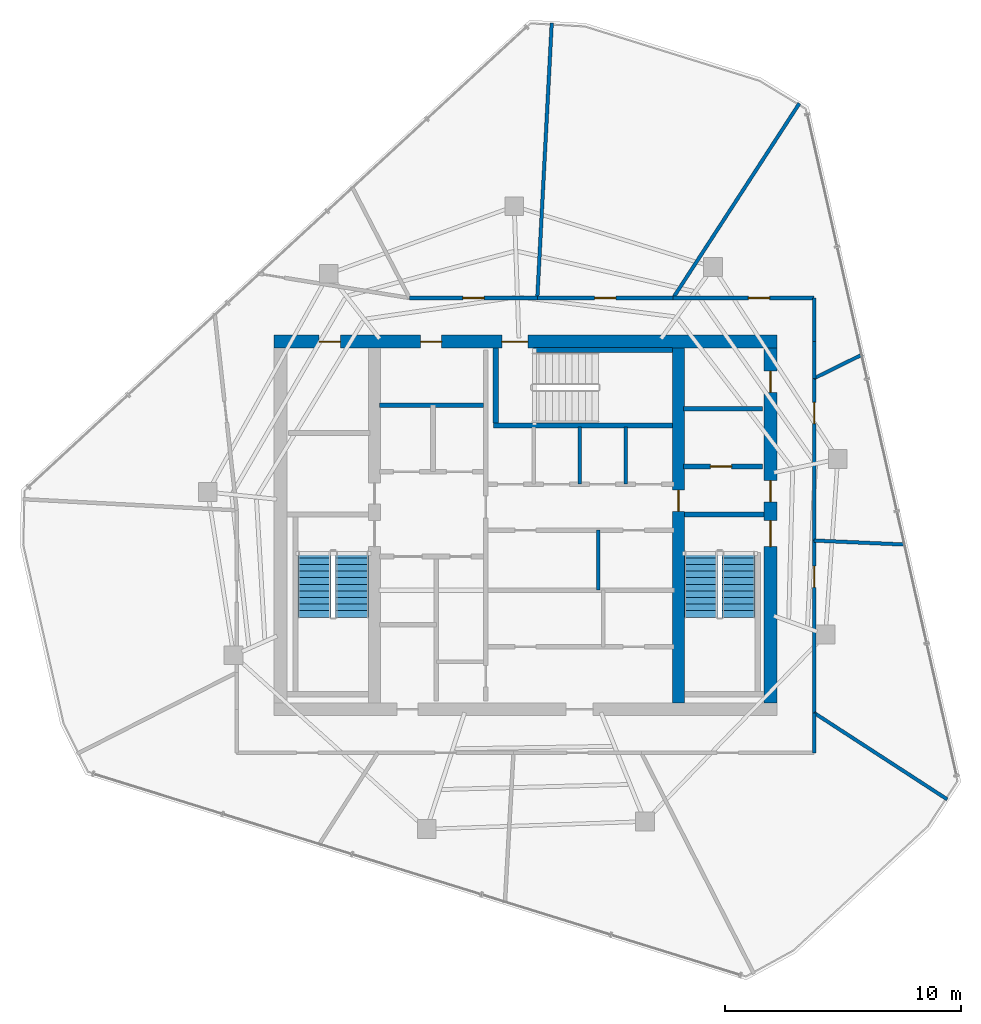
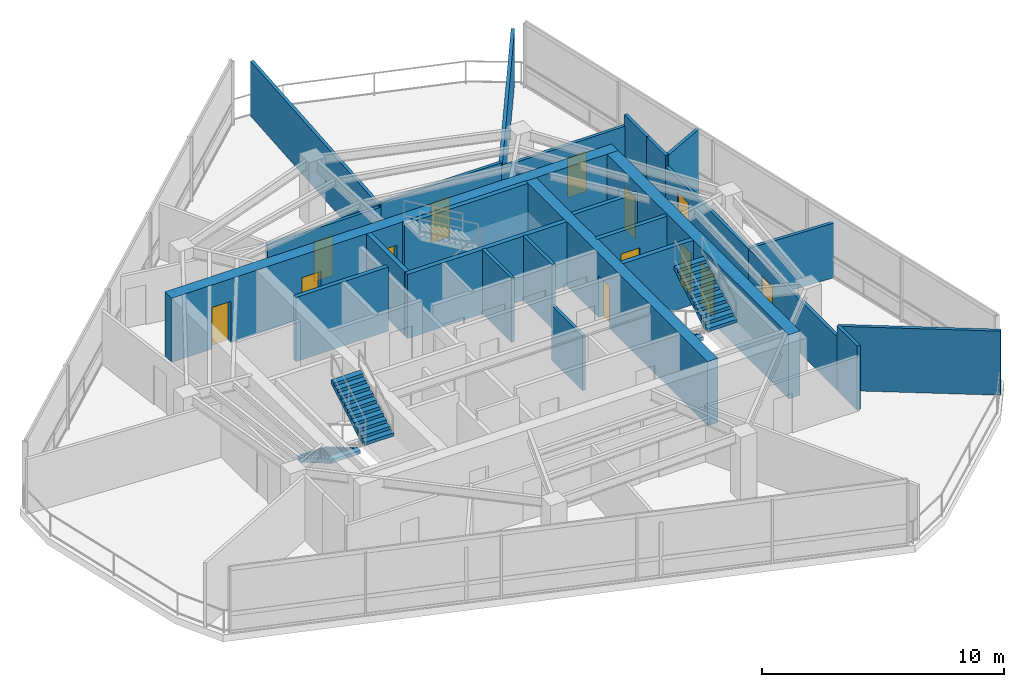
# One storey, part 15 of 19: 26 walls, 13 doors, 4 stair flights, 13 openings, 2 elements without a shape of their own.
"""IFC4 building model written with IfcOpenShell, lengths in metres."""

from ifc_helpers import new_model, si_unit, direction, frame, frame_2d, origin, place, context, subcontext, project, spatial, polyline, rectangle, outline, extrude, material, layer, layer_set, type_object, element, fill, aggregate, save


model = new_model("IFC4")

# Units and contexts
model_context = context("Model", 3, precision=1e-05, world=origin(), true_north=direction((0.0, 1.0)))
body_context = subcontext(model_context, "Body", "Model", "MODEL_VIEW")
ifc_project = project(units=[si_unit("LENGTHUNIT", "METRE"), si_unit("AREAUNIT", "SQUARE_METRE"), si_unit("VOLUMEUNIT", "CUBIC_METRE"), si_unit("PLANEANGLEUNIT", "RADIAN"), si_unit("MASSUNIT", "GRAM", prefix="KILO")], contexts=[model_context])

# Site, building, storey
site_placement = place(None, origin())
site = spatial("IfcSite", under=ifc_project, at=site_placement, CompositionType="ELEMENT")
building_placement = place(site_placement, origin())
building = spatial("IfcBuilding", under=site, at=building_placement, Name="Qarnah Convention Tower", CompositionType="ELEMENT")
storey_placement = place(building_placement, frame((0.0, 0.0, 228.300048828125)))
storey = spatial("IfcBuildingStorey", under=building, at=storey_placement, Name="L61", CompositionType="ELEMENT", Elevation=228.300048828125)

# Wall, openings, doors
ifc_material_1 = material(Name="Concrete C60/75", Category="concrete")
ifc_layer_1 = layer(ifc_material_1, 0.550048828125)
ifc_layer_set_1 = layer_set([ifc_layer_1], Name="Concrete C60/75")
wall_type_1 = type_object("IfcWallType", Name="WL-CORE-550", PredefinedType="SHEAR", material=ifc_layer_set_1)
wall_1_placement = place(storey_placement, frame((26.52490234375, 34.199951171875, 0.0), z_axis=(0.0, 0.0, 1.0), x_axis=(1.0, 0.0, 0.0)))
wall_1 = element("IfcWall", 1, at=wall_1_placement, inside=storey, type_object=wall_type_1, Name="L61 core north shear wall", PredefinedType="SHEAR", context=body_context, shape_type="SweptSolid", body=[
    extrude(rectangle(XDim=21.35009765625, YDim=0.550048828125, at=frame_2d((10.675048828125, 0.0))), origin(), (0.0, 0.0, 1.0), 3.239990234375),
])
opening_1_placement = place(wall_1_placement, frame((9.675048828125, 0.0, 0.0)))
opening_1 = element("IfcOpeningElement", 2, at=opening_1_placement, cuts=wall_1, Name="Opening D-6103", PredefinedType="OPENING", context=body_context, shape_type="SweptSolid", body=[
    extrude(rectangle(XDim=1.10009765625, YDim=2.14990234375, at=frame_2d((0.550048828125, 1.074951171875))), frame((0.0, 0.284912109375, 0.0), z_axis=(0.0, -1.0, 0.0), x_axis=(1.0, 0.0, 0.0)), (0.0, 0.0, 1.0), 0.570068359375),
])
opening_2_placement = place(wall_1_placement, frame((1.925048828125, 0.0, 0.0)))
opening_2 = element("IfcOpeningElement", 3, at=opening_2_placement, cuts=wall_1, Name="Opening D-6109", PredefinedType="OPENING", context=body_context, shape_type="SweptSolid", body=[
    extrude(rectangle(XDim=0.89990234375, YDim=2.10009765625, at=frame_2d((0.449951171875, 1.050048828125))), frame((0.0, 0.284912109375, 0.0), z_axis=(0.0, -1.0, 0.0), x_axis=(1.0, 0.0, 0.0)), (0.0, 0.0, 1.0), 0.570068359375),
])
opening_3_placement = place(wall_1_placement, frame((6.22509765625, 0.0, 0.0)))
opening_3 = element("IfcOpeningElement", 4, at=opening_3_placement, cuts=wall_1, Name="Opening D-6110", PredefinedType="OPENING", context=body_context, shape_type="SweptSolid", body=[
    extrude(rectangle(XDim=0.89990234375, YDim=2.10009765625, at=frame_2d((0.449951171875, 1.050048828125))), frame((0.0, 0.284912109375, 0.0), z_axis=(0.0, -1.0, 0.0), x_axis=(1.0, 0.0, 0.0)), (0.0, 0.0, 1.0), 0.570068359375),
])
ifc_material_2 = material(Name="Structural steel S355JR", Category="steel")
door_type_1 = type_object("IfcDoorType", Name="DT-RISER-900", OperationType="NOTDEFINED", PredefinedType="DOOR", material=ifc_material_2)
door_1_placement = place(opening_2_placement, origin())
door_1 = element("IfcDoor", 5, at=door_1_placement, inside=storey, type_object=door_type_1, Name="Door D-6109", OperationType="SINGLE_SWING_RIGHT", OverallHeight=2.10009765625, OverallWidth=0.89990234375, PredefinedType="DOOR", context=body_context, shape_type="SweptSolid", body=[
    extrude(rectangle(XDim=0.89990234375, YDim=2.10009765625, at=frame_2d((0.449951171875, 1.050048828125))), frame((0.0, 0.02490234375, 0.0), z_axis=(0.0, -1.0, 0.0), x_axis=(1.0, 0.0, 0.0)), (0.0, 0.0, 1.0), 0.050048828125),
])
fill(opening_2, door_1)
door_2_placement = place(opening_3_placement, origin())
door_2 = element("IfcDoor", 6, at=door_2_placement, inside=storey, type_object=door_type_1, Name="Door D-6110", OperationType="SINGLE_SWING_LEFT", OverallHeight=2.10009765625, OverallWidth=0.89990234375, PredefinedType="DOOR", context=body_context, shape_type="SweptSolid", body=[
    extrude(rectangle(XDim=0.89990234375, YDim=2.10009765625, at=frame_2d((0.449951171875, 1.050048828125))), frame((0.0, 0.02490234375, 0.0), z_axis=(0.0, -1.0, 0.0), x_axis=(1.0, 0.0, 0.0)), (0.0, 0.0, 1.0), 0.050048828125),
])
fill(opening_3, door_2)
door_type_2 = type_object("IfcDoorType", Name="DT-STAIR-1100", OperationType="NOTDEFINED", PredefinedType="DOOR", material=ifc_material_2)
door_3_placement = place(opening_1_placement, origin())
door_3 = element("IfcDoor", 7, at=door_3_placement, inside=storey, type_object=door_type_2, Name="Door D-6103", OperationType="SINGLE_SWING_RIGHT", OverallHeight=2.14990234375, OverallWidth=1.10009765625, PredefinedType="DOOR", context=body_context, shape_type="SweptSolid", body=[
    extrude(rectangle(XDim=1.10009765625, YDim=2.14990234375, at=frame_2d((0.550048828125, 1.074951171875))), frame((0.0, 0.02490234375, 0.0), z_axis=(0.0, -1.0, 0.0), x_axis=(1.0, 0.0, 0.0)), (0.0, 0.0, 1.0), 0.050048828125),
])
fill(opening_1, door_3)

wall_2_placement = place(storey_placement, frame((47.60009765625, 18.875, 0.0), z_axis=(0.0, 0.0, 1.0), x_axis=(0.0, 1.0, 0.0)))
wall_2 = element("IfcWall", 8, at=wall_2_placement, inside=storey, type_object=wall_type_1, Name="L61 core east shear wall", PredefinedType="SHEAR", context=body_context, shape_type="SweptSolid", body=[
    extrude(rectangle(XDim=15.050048828125, YDim=0.550048828125, at=frame_2d((7.52490234375, 0.0))), origin(), (0.0, 0.0, 1.0), 3.239990234375),
])
opening_4_placement = place(wall_2_placement, frame((6.625, 0.0, 0.0)))
opening_4 = element("IfcOpeningElement", 9, at=opening_4_placement, cuts=wall_2, Name="Opening D-6102", PredefinedType="OPENING", context=body_context, shape_type="SweptSolid", body=[
    extrude(rectangle(XDim=1.10009765625, YDim=2.14990234375, at=frame_2d((0.550048828125, 1.074951171875))), frame((0.0, 0.284912109375, 0.0), z_axis=(0.0, -1.0, 0.0), x_axis=(1.0, 0.0, 0.0)), (0.0, 0.0, 1.0), 0.570068359375),
])
opening_5_placement = place(wall_2_placement, frame((8.52490234375, 0.0, 0.0)))
opening_5 = element("IfcOpeningElement", 10, at=opening_5_placement, cuts=wall_2, Name="Opening D-6106", PredefinedType="OPENING", context=body_context, shape_type="SweptSolid", body=[
    extrude(rectangle(XDim=0.89990234375, YDim=2.10009765625, at=frame_2d((0.449951171875, 1.050048828125))), frame((0.0, 0.284912109375, 0.0), z_axis=(0.0, -1.0, 0.0), x_axis=(1.0, 0.0, 0.0)), (0.0, 0.0, 1.0), 0.570068359375),
])
opening_6_placement = place(wall_2_placement, frame((13.175048828125, 0.0, 0.0)))
opening_6 = element("IfcOpeningElement", 11, at=opening_6_placement, cuts=wall_2, Name="Opening D-6112", PredefinedType="OPENING", context=body_context, shape_type="SweptSolid", body=[
    extrude(rectangle(XDim=0.89990234375, YDim=2.10009765625, at=frame_2d((0.449951171875, 1.050048828125))), frame((0.0, 0.284912109375, 0.0), z_axis=(0.0, -1.0, 0.0), x_axis=(1.0, 0.0, 0.0)), (0.0, 0.0, 1.0), 0.570068359375),
])
door_4_placement = place(opening_5_placement, origin())
door_4 = element("IfcDoor", 12, at=door_4_placement, inside=storey, type_object=door_type_1, Name="Door D-6106", OperationType="SINGLE_SWING_LEFT", OverallHeight=2.10009765625, OverallWidth=0.89990234375, PredefinedType="DOOR", context=body_context, shape_type="SweptSolid", body=[
    extrude(rectangle(XDim=0.89990234375, YDim=2.10009765625, at=frame_2d((0.449951171875, 1.050048828125))), frame((0.0, 0.02490234375, 0.0), z_axis=(0.0, -1.0, 0.0), x_axis=(1.0, 0.0, 0.0)), (0.0, 0.0, 1.0), 0.050048828125),
])
fill(opening_5, door_4)
door_5_placement = place(opening_6_placement, origin())
door_5 = element("IfcDoor", 13, at=door_5_placement, inside=storey, type_object=door_type_1, Name="Door D-6112", OperationType="SINGLE_SWING_LEFT", OverallHeight=2.10009765625, OverallWidth=0.89990234375, PredefinedType="DOOR", context=body_context, shape_type="SweptSolid", body=[
    extrude(rectangle(XDim=0.89990234375, YDim=2.10009765625, at=frame_2d((0.449951171875, 1.050048828125))), frame((0.0, 0.02490234375, 0.0), z_axis=(0.0, -1.0, 0.0), x_axis=(1.0, 0.0, 0.0)), (0.0, 0.0, 1.0), 0.050048828125),
])
fill(opening_6, door_5)
door_6_placement = place(opening_4_placement, origin())
door_6 = element("IfcDoor", 14, at=door_6_placement, inside=storey, type_object=door_type_2, Name="Door D-6102", OperationType="SINGLE_SWING_LEFT", OverallHeight=2.14990234375, OverallWidth=1.10009765625, PredefinedType="DOOR", context=body_context, shape_type="SweptSolid", body=[
    extrude(rectangle(XDim=1.10009765625, YDim=2.14990234375, at=frame_2d((0.550048828125, 1.074951171875))), frame((0.0, 0.02490234375, 0.0), z_axis=(0.0, -1.0, 0.0), x_axis=(1.0, 0.0, 0.0)), (0.0, 0.0, 1.0), 0.050048828125),
])
fill(opening_4, door_6)

# Wall, opening, door
ifc_layer_2 = layer(ifc_material_1, 0.5)
ifc_layer_set_2 = layer_set([ifc_layer_2], Name="Concrete C60/75")
wall_type_2 = type_object("IfcWallType", Name="WL-CORE-INT-400", PredefinedType="SHEAR", material=ifc_layer_set_2)
wall_3_placement = place(storey_placement, frame((43.699951171875, 18.875, 0.0), z_axis=(0.0, 0.0, 1.0), x_axis=(0.0, 1.0, 0.0)))
wall_3 = element("IfcWall", 15, at=wall_3_placement, inside=storey, type_object=wall_type_2, Name="L61 core east spine shear wall", PredefinedType="SHEAR", context=body_context, shape_type="SweptSolid", body=[
    extrude(rectangle(XDim=15.050048828125, YDim=0.5, at=frame_2d((7.52490234375, 0.0))), origin(), (0.0, 0.0, 1.0), 3.239990234375),
])
opening_7_placement = place(wall_3_placement, frame((8.125, 0.0, 0.0)))
opening_7 = element("IfcOpeningElement", 16, at=opening_7_placement, cuts=wall_3, Name="Opening D-6105", PredefinedType="OPENING", context=body_context, shape_type="SweptSolid", body=[
    extrude(rectangle(XDim=0.89990234375, YDim=2.10009765625, at=frame_2d((0.449951171875, 1.050048828125))), frame((0.0, 0.260009765625, 0.0), z_axis=(0.0, -1.0, 0.0), x_axis=(1.0, 0.0, 0.0)), (0.0, 0.0, 1.0), 0.52001953125),
])
door_7_placement = place(opening_7_placement, origin())
door_7 = element("IfcDoor", 17, at=door_7_placement, inside=storey, type_object=door_type_1, Name="Door D-6105", OperationType="SINGLE_SWING_RIGHT", OverallHeight=2.10009765625, OverallWidth=0.89990234375, PredefinedType="DOOR", context=body_context, shape_type="SweptSolid", body=[
    extrude(rectangle(XDim=0.89990234375, YDim=2.10009765625, at=frame_2d((0.449951171875, 1.050048828125))), frame((0.0, 0.02490234375, 0.0), z_axis=(0.0, -1.0, 0.0), x_axis=(1.0, 0.0, 0.0)), (0.0, 0.0, 1.0), 0.050048828125),
])
fill(opening_7, door_7)

ifc_material_3 = material(Name="Concrete C45/55", Category="concrete")
ifc_layer_3 = layer(ifc_material_3, 0.199951171875)
ifc_layer_set_3 = layer_set([ifc_layer_3], Name="Concrete C45/55")
wall_type_3 = type_object("IfcWallType", Name="WL-CORE-PART-200", PredefinedType="SOLIDWALL", material=ifc_layer_set_3)
wall_4_placement = place(storey_placement, frame((43.89990234375, 28.89990234375, 0.0), z_axis=(0.0, 0.0, 1.0), x_axis=(1.0, 0.0, 0.0)))
wall_4 = element("IfcWall", 18, at=wall_4_placement, inside=storey, type_object=wall_type_3, Name="L61 interior wall IW-L61-EVSTN", PredefinedType="SOLIDWALL", context=body_context, shape_type="SweptSolid", body=[
    extrude(rectangle(XDim=3.35009765625, YDim=0.199951171875, at=frame_2d((1.675048828125, 0.0))), origin(), (0.0, 0.0, 1.0), 3.239990234375),
])
opening_8_placement = place(wall_4_placement, frame((1.14990234375, 0.0, 0.0)))
opening_8 = element("IfcOpeningElement", 19, at=opening_8_placement, cuts=wall_4, Name="Opening D-6111", PredefinedType="OPENING", context=body_context, shape_type="SweptSolid", body=[
    extrude(rectangle(XDim=0.89990234375, YDim=2.10009765625, at=frame_2d((0.449951171875, 1.050048828125))), frame((0.0, 0.10986328125, 0.0), z_axis=(0.0, -1.0, 0.0), x_axis=(1.0, 0.0, 0.0)), (0.0, 0.0, 1.0), 0.219970703125),
])
door_8_placement = place(opening_8_placement, origin())
door_8 = element("IfcDoor", 20, at=door_8_placement, inside=storey, type_object=door_type_1, Name="Door D-6111", OperationType="SINGLE_SWING_RIGHT", OverallHeight=2.10009765625, OverallWidth=0.89990234375, PredefinedType="DOOR", context=body_context, shape_type="SweptSolid", body=[
    extrude(rectangle(XDim=0.89990234375, YDim=2.10009765625, at=frame_2d((0.449951171875, 1.050048828125))), frame((0.0, 0.02490234375, 0.0), z_axis=(0.0, -1.0, 0.0), x_axis=(1.0, 0.0, 0.0)), (0.0, 0.0, 1.0), 0.050048828125),
])
fill(opening_8, door_8)

# Walls
wall_5_placement = place(storey_placement, frame((43.89990234375, 31.35009765625, 0.0), z_axis=(0.0, 0.0, 1.0), x_axis=(1.0, 0.0, 0.0)))
element("IfcWall", 21, at=wall_5_placement, inside=storey, type_object=wall_type_3, Name="L61 interior wall IW-L61-WTRN", PredefinedType="SOLIDWALL", context=body_context, shape_type="SweptSolid", body=[
    extrude(rectangle(XDim=3.35009765625, YDim=0.199951171875, at=frame_2d((1.675048828125, 0.0))), origin(), (0.0, 0.0, 1.0), 2.912841796875),
])
wall_6_placement = place(storey_placement, frame((31.0, 31.5, 0.0), z_axis=(0.0, 0.0, 1.0), x_axis=(1.0, 0.0, 0.0)))
element("IfcWall", 22, at=wall_6_placement, inside=storey, type_object=wall_type_3, Name="L61 interior wall IW-L61-FFLN", PredefinedType="SOLIDWALL", context=body_context, shape_type="SweptSolid", body=[
    extrude(rectangle(XDim=4.419921875, YDim=0.199951171875, at=frame_2d((2.2099609375, 0.0))), origin(), (0.0, 0.0, 1.0), 3.239990234375),
])
ifc_layer_4 = layer(ifc_material_1, 0.219970703125)
ifc_layer_set_4 = layer_set([ifc_layer_4], Name="Concrete C60/75")
wall_type_4 = type_object("IfcWallType", Name="WL-CORE-STAIR-220", PredefinedType="SHEAR", material=ifc_layer_set_4)
wall_7_placement = place(storey_placement, frame((43.949951171875, 26.860107421875, 0.0), z_axis=(0.0, 0.0, 1.0), x_axis=(1.0, 0.0, 0.0)))
element("IfcWall", 23, at=wall_7_placement, inside=storey, type_object=wall_type_4, Name="L61 stair shaft shear wall SW-L61-ST2N", PredefinedType="SHEAR", context=body_context, shape_type="SweptSolid", body=[
    extrude(rectangle(XDim=3.375, YDim=0.219970703125, at=frame_2d((1.6875, 0.0))), origin(), (0.0, 0.0, 1.0), 3.239990234375),
])
wall_8_placement = place(storey_placement, frame((35.840087890625, 30.639892578125, 0.0), z_axis=(0.0, 0.0, 1.0), x_axis=(1.0, 0.0, 0.0)))
element("IfcWall", 24, at=wall_8_placement, inside=storey, type_object=wall_type_4, Name="L61 stair shaft shear wall SW-L61-ST3S", PredefinedType="SHEAR", context=body_context, shape_type="SweptSolid", body=[
    extrude(rectangle(XDim=7.60986328125, YDim=0.219970703125, at=frame_2d((3.804931640625, 0.0))), origin(), (0.0, 0.0, 1.0), 3.239990234375),
])
wall_9_placement = place(storey_placement, frame((35.93994140625, 30.75, 0.0), z_axis=(0.0, 0.0, 1.0), x_axis=(0.0, 1.0, 0.0)))
element("IfcWall", 25, at=wall_9_placement, inside=storey, type_object=wall_type_4, Name="L61 stair shaft shear wall SW-L61-ST3W", PredefinedType="SHEAR", context=body_context, shape_type="SweptSolid", body=[
    extrude(rectangle(XDim=3.175048828125, YDim=0.219970703125, at=frame_2d((1.58740234375, 0.0))), origin(), (0.0, 0.0, 1.0), 3.239990234375),
])
wall_10_placement = place(storey_placement, frame((37.550048828125, 33.840087890625, 0.0), z_axis=(0.0, 0.0, 1.0), x_axis=(1.0, 0.0, 0.0)))
element("IfcWall", 26, at=wall_10_placement, inside=storey, type_object=wall_type_4, Name="L61 stair shaft shear wall SW-L61-ST3N", PredefinedType="SHEAR", context=body_context, shape_type="SweptSolid", body=[
    extrude(rectangle(XDim=5.89990234375, YDim=0.219970703125, at=frame_2d((2.949951171875, 0.0))), origin(), (0.0, 0.0, 1.0), 3.239990234375),
])
ifc_material_4 = material(Name="Gypsum partition board")
ifc_layer_5 = layer(ifc_material_4, 0.14990234375)
ifc_layer_set_5 = layer_set([ifc_layer_5], Name="Gypsum partition board")
wall_type_5 = type_object("IfcWallType", Name="WL-SUITE-150", PredefinedType="PARTITIONING", material=ifc_layer_set_5)
for number, where, z_axis, x_axis, name in (
    (27, (39.5, 28.14990234375, 0.0), (0.0, 0.0, 1.0), (0.0, 1.0, 0.0), "L61 interior wall IW-L61-PHD2"),
    (28, (41.449951171875, 28.14990234375, 0.0), (0.0, 0.0, 1.0), (0.0, 1.0, 0.0), "L61 interior wall IW-L61-PHD3"),
):
    element("IfcWall", number, at=place(storey_placement, frame(where, z_axis=z_axis, x_axis=x_axis)), inside=storey, type_object=wall_type_5, Name=name, PredefinedType="PARTITIONING", context=body_context, shape_type="SweptSolid", body=[
        extrude(rectangle(XDim=2.43017578125, YDim=0.14990234375, at=frame_2d((1.215087890625, 0.0))), origin(), (0.0, 0.0, 1.0), 3.239990234375),
    ])
wall_11_placement = place(storey_placement, frame((40.300048828125, 23.64990234375, 0.0), z_axis=(0.0, 0.0, 1.0), x_axis=(0.0, 1.0, 0.0)))
element("IfcWall", 29, at=wall_11_placement, inside=storey, type_object=wall_type_5, Name="L61 interior wall IW-L61-PMFD", PredefinedType="PARTITIONING", context=body_context, shape_type="SweptSolid", body=[
    extrude(rectangle(XDim=2.550048828125, YDim=0.14990234375, at=frame_2d((1.27490234375, 0.0))), origin(), (0.0, 0.0, 1.0), 2.760986328125),
])
wall_12_placement = place(storey_placement, frame((38.318115234375, 47.7109375, 0.0), z_axis=(0.0, 0.0, 1.0), x_axis=(-0.052416173525, -0.998625327514, 0.0)))
element("IfcWall", 30, at=wall_12_placement, inside=storey, type_object=wall_type_5, Name="L61 interior wall IW-L61-R-01", PredefinedType="PARTITIONING", context=body_context, shape_type="SweptSolid", body=[
    extrude(rectangle(XDim=11.677001953125, YDim=0.14990234375, at=frame_2d((5.83837890625, 0.0))), origin(), (0.0, 0.0, 1.0), 2.764892578125),
])

# Wall, opening, door
wall_13_placement = place(storey_placement, frame((37.7060546875, 36.050048828125, 0.0), z_axis=(0.0, 0.0, 1.0), x_axis=(1.0, 0.0, 0.0)))
wall_13 = element("IfcWall", 31, at=wall_13_placement, inside=storey, type_object=wall_type_5, Name="L61 interior wall IW-L61-R-02", PredefinedType="PARTITIONING", context=body_context, shape_type="SweptSolid", body=[
    extrude(rectangle(XDim=5.760986328125, YDim=0.14990234375, at=frame_2d((2.88037109375, 0.0))), origin(), (0.0, 0.0, 1.0), 2.912841796875),
])
opening_9_placement = place(wall_13_placement, frame((2.429931640625, 0.0, 0.0)))
opening_9 = element("IfcOpeningElement", 32, at=opening_9_placement, cuts=wall_13, Name="Opening D-6120", PredefinedType="OPENING", context=body_context, shape_type="SweptSolid", body=[
    extrude(rectangle(XDim=0.89990234375, YDim=2.0, at=frame_2d((0.449951171875, 1.0))), frame((0.0, 0.0849609375, 0.0), z_axis=(0.0, -1.0, 0.0), x_axis=(1.0, 0.0, 0.0)), (0.0, 0.0, 1.0), 0.169921875),
])
door_type_3 = type_object("IfcDoorType", Name="DT-PLANT-900", OperationType="NOTDEFINED", PredefinedType="DOOR", material=ifc_material_2)
door_9_placement = place(opening_9_placement, origin())
door_9 = element("IfcDoor", 33, at=door_9_placement, inside=storey, type_object=door_type_3, Name="Door D-6120", OperationType="SINGLE_SWING_LEFT", OverallHeight=2.0, OverallWidth=0.89990234375, PredefinedType="DOOR", context=body_context, shape_type="SweptSolid", body=[
    extrude(rectangle(XDim=0.89990234375, YDim=2.0, at=frame_2d((0.449951171875, 1.0))), frame((0.0, 0.02490234375, 0.0), z_axis=(0.0, -1.0, 0.0), x_axis=(1.0, 0.0, 0.0)), (0.0, 0.0, 1.0), 0.050048828125),
])
fill(opening_9, door_9)

# Wall
wall_14_placement = place(storey_placement, frame((43.467041015625, 36.050048828125, 0.0), z_axis=(0.0, 0.0, 1.0), x_axis=(0.544343030284, 0.838862721416, 0.0)))
element("IfcWall", 34, at=wall_14_placement, inside=storey, type_object=wall_type_5, Name="L61 interior wall IW-L61-R-03", PredefinedType="PARTITIONING", context=body_context, shape_type="SweptSolid", body=[
    extrude(rectangle(XDim=9.8427734375, YDim=0.14990234375, at=frame_2d((4.92138671875, 0.0))), origin(), (0.0, 0.0, 1.0), 2.764892578125),
])

# Wall, opening, door
wall_15_placement = place(storey_placement, frame((32.282958984375, 36.050048828125, 0.0), z_axis=(0.0, 0.0, 1.0), x_axis=(1.0, 0.0, 0.0)))
wall_15 = element("IfcWall", 35, at=wall_15_placement, inside=storey, type_object=wall_type_5, Name="L61 interior wall IW-L61-R-05", PredefinedType="PARTITIONING", context=body_context, shape_type="SweptSolid", body=[
    extrude(rectangle(XDim=5.423095703125, YDim=0.14990234375, at=frame_2d((2.71142578125, 0.0))), origin(), (0.0, 0.0, 1.0), 2.68896484375),
])
opening_10_placement = place(wall_15_placement, frame((2.261962890625, 0.0, 0.0)))
opening_10 = element("IfcOpeningElement", 36, at=opening_10_placement, cuts=wall_15, Name="Opening D-6121", PredefinedType="OPENING", context=body_context, shape_type="SweptSolid", body=[
    extrude(rectangle(XDim=0.89990234375, YDim=2.0, at=frame_2d((0.449951171875, 1.0))), frame((0.0, 0.0849609375, 0.0), z_axis=(0.0, -1.0, 0.0), x_axis=(1.0, 0.0, 0.0)), (0.0, 0.0, 1.0), 0.169921875),
])
door_10_placement = place(opening_10_placement, origin())
door_10 = element("IfcDoor", 37, at=door_10_placement, inside=storey, type_object=door_type_3, Name="Door D-6121", OperationType="SINGLE_SWING_RIGHT", OverallHeight=2.0, OverallWidth=0.89990234375, PredefinedType="DOOR", context=body_context, shape_type="SweptSolid", body=[
    extrude(rectangle(XDim=0.89990234375, YDim=2.0, at=frame_2d((0.449951171875, 1.0))), frame((0.0, 0.02490234375, 0.0), z_axis=(0.0, -1.0, 0.0), x_axis=(1.0, 0.0, 0.0)), (0.0, 0.0, 1.0), 0.050048828125),
])
fill(opening_10, door_10)

# Walls
wall_16_placement = place(storey_placement, frame((55.096923828125, 14.777099609375, 0.0), z_axis=(0.0, 0.0, 1.0), x_axis=(-0.838617529297, 0.544720698667, 0.0)))
element("IfcWall", 38, at=wall_16_placement, inside=storey, type_object=wall_type_5, Name="L61 interior wall IW-L61-R-19", PredefinedType="PARTITIONING", context=body_context, shape_type="SweptSolid", body=[
    extrude(rectangle(XDim=6.733642578125, YDim=0.14990234375, at=frame_2d((3.36669921875, 0.0))), origin(), (0.0, 0.0, 1.0), 3.239990234375),
])
wall_17_placement = place(storey_placement, frame((49.449951171875, 18.445068359375, 0.0), z_axis=(0.0, 0.0, 1.0), x_axis=(0.0, -1.0, 0.0)))
element("IfcWall", 39, at=wall_17_placement, inside=storey, type_object=wall_type_5, Name="L61 interior wall IW-L61-R-20", PredefinedType="PARTITIONING", context=body_context, shape_type="SweptSolid", body=[
    extrude(rectangle(XDim=1.695068359375, YDim=0.14990234375, at=frame_2d((0.84765625, 0.0))), origin(), (0.0, 0.0, 1.0), 3.239990234375),
])
wall_18_placement = place(storey_placement, frame((53.330078125, 25.5869140625, 0.0), z_axis=(0.0, 0.0, 1.0), x_axis=(-0.999028682624, 0.044064626346, 0.0)))
element("IfcWall", 40, at=wall_18_placement, inside=storey, type_object=wall_type_5, Name="L61 interior wall IW-L61-R-22", PredefinedType="PARTITIONING", context=body_context, shape_type="SweptSolid", body=[
    extrude(rectangle(XDim=3.8837890625, YDim=0.14990234375, at=frame_2d((1.94189453125, 0.0))), origin(), (0.0, 0.0, 1.0), 2.764892578125),
])

# Wall, opening, door
wall_19_placement = place(storey_placement, frame((49.449951171875, 25.758056640625, 0.0), z_axis=(0.0, 0.0, 1.0), x_axis=(0.0, -1.0, 0.0)))
wall_19 = element("IfcWall", 41, at=wall_19_placement, inside=storey, type_object=wall_type_5, Name="L61 interior wall IW-L61-R-23", PredefinedType="PARTITIONING", context=body_context, shape_type="SweptSolid", body=[
    extrude(rectangle(XDim=7.31298828125, YDim=0.14990234375, at=frame_2d((3.656494140625, 0.0))), origin(), (0.0, 0.0, 1.0), 2.68896484375),
])
opening_11_placement = place(wall_19_placement, frame((1.087890625, 0.0, 0.0)))
opening_11 = element("IfcOpeningElement", 42, at=opening_11_placement, cuts=wall_19, Name="Opening D-6129", PredefinedType="OPENING", context=body_context, shape_type="SweptSolid", body=[
    extrude(rectangle(XDim=0.89990234375, YDim=2.0, at=frame_2d((0.449951171875, 1.0))), frame((0.0, 0.0849609375, 0.0), z_axis=(0.0, -1.0, 0.0), x_axis=(1.0, 0.0, 0.0)), (0.0, 0.0, 1.0), 0.169921875),
])
door_11_placement = place(opening_11_placement, origin())
door_11 = element("IfcDoor", 43, at=door_11_placement, inside=storey, type_object=door_type_3, Name="Door D-6129", OperationType="SINGLE_SWING_RIGHT", OverallHeight=2.0, OverallWidth=0.89990234375, PredefinedType="DOOR", context=body_context, shape_type="SweptSolid", body=[
    extrude(rectangle(XDim=0.89990234375, YDim=2.0, at=frame_2d((0.449951171875, 1.0))), frame((0.0, 0.02490234375, 0.0), z_axis=(0.0, -1.0, 0.0), x_axis=(1.0, 0.0, 0.0)), (0.0, 0.0, 1.0), 0.050048828125),
])
fill(opening_11, door_11)

# Wall
wall_20_placement = place(storey_placement, frame((51.508056640625, 33.656982421875, 0.0), z_axis=(0.0, 0.0, 1.0), x_axis=(-0.89688185474, -0.442270209983, 0.0)))
element("IfcWall", 44, at=wall_20_placement, inside=storey, type_object=wall_type_5, Name="L61 interior wall IW-L61-R-24", PredefinedType="PARTITIONING", context=body_context, shape_type="SweptSolid", body=[
    extrude(rectangle(XDim=2.294677734375, YDim=0.14990234375, at=frame_2d((1.1474609375, 0.0))), origin(), (0.0, 0.0, 1.0), 3.239990234375),
])

# Wall, opening, door
wall_21_placement = place(storey_placement, frame((49.449951171875, 32.64208984375, 0.0), z_axis=(0.0, 0.0, 1.0), x_axis=(0.0, -1.0, 0.0)))
wall_21 = element("IfcWall", 45, at=wall_21_placement, inside=storey, type_object=wall_type_5, Name="L61 interior wall IW-L61-R-25", PredefinedType="PARTITIONING", context=body_context, shape_type="SweptSolid", body=[
    extrude(rectangle(XDim=6.884033203125, YDim=0.14990234375, at=frame_2d((3.44189453125, 0.0))), origin(), (0.0, 0.0, 1.0), 2.68896484375),
])
opening_12_placement = place(wall_21_placement, frame((1.02587890625, 0.0, 0.0)))
opening_12 = element("IfcOpeningElement", 46, at=opening_12_placement, cuts=wall_21, Name="Opening D-6130", PredefinedType="OPENING", context=body_context, shape_type="SweptSolid", body=[
    extrude(rectangle(XDim=0.89990234375, YDim=2.0, at=frame_2d((0.449951171875, 1.0))), frame((0.0, 0.0849609375, 0.0), z_axis=(0.0, -1.0, 0.0), x_axis=(1.0, 0.0, 0.0)), (0.0, 0.0, 1.0), 0.169921875),
])
door_12_placement = place(opening_12_placement, origin())
door_12 = element("IfcDoor", 47, at=door_12_placement, inside=storey, type_object=door_type_3, Name="Door D-6130", OperationType="SINGLE_SWING_LEFT", OverallHeight=2.0, OverallWidth=0.89990234375, PredefinedType="DOOR", context=body_context, shape_type="SweptSolid", body=[
    extrude(rectangle(XDim=0.89990234375, YDim=2.0, at=frame_2d((0.449951171875, 1.0))), frame((0.0, 0.02490234375, 0.0), z_axis=(0.0, -1.0, 0.0), x_axis=(1.0, 0.0, 0.0)), (0.0, 0.0, 1.0), 0.050048828125),
])
fill(opening_12, door_12)

wall_22_placement = place(storey_placement, frame((43.467041015625, 36.050048828125, 0.0), z_axis=(0.0, 0.0, 1.0), x_axis=(1.0, 0.0, 0.0)))
wall_22 = element("IfcWall", 48, at=wall_22_placement, inside=storey, type_object=wall_type_5, Name="L61 interior wall IW-L61-R-26", PredefinedType="PARTITIONING", context=body_context, shape_type="SweptSolid", body=[
    extrude(rectangle(XDim=5.98291015625, YDim=0.14990234375, at=frame_2d((2.991455078125, 0.0))), origin(), (0.0, 0.0, 1.0), 2.68896484375),
])
opening_13_placement = place(wall_22_placement, frame((3.198974609375, 0.0, 0.0)))
opening_13 = element("IfcOpeningElement", 49, at=opening_13_placement, cuts=wall_22, Name="Opening D-6131", PredefinedType="OPENING", context=body_context, shape_type="SweptSolid", body=[
    extrude(rectangle(XDim=0.89990234375, YDim=2.0, at=frame_2d((0.449951171875, 1.0))), frame((0.0, 0.0849609375, 0.0), z_axis=(0.0, -1.0, 0.0), x_axis=(1.0, 0.0, 0.0)), (0.0, 0.0, 1.0), 0.169921875),
])
door_13_placement = place(opening_13_placement, origin())
door_13 = element("IfcDoor", 50, at=door_13_placement, inside=storey, type_object=door_type_3, Name="Door D-6131", OperationType="SINGLE_SWING_RIGHT", OverallHeight=2.0, OverallWidth=0.89990234375, PredefinedType="DOOR", context=body_context, shape_type="SweptSolid", body=[
    extrude(rectangle(XDim=0.89990234375, YDim=2.0, at=frame_2d((0.449951171875, 1.0))), frame((0.0, 0.02490234375, 0.0), z_axis=(0.0, -1.0, 0.0), x_axis=(1.0, 0.0, 0.0)), (0.0, 0.0, 1.0), 0.050048828125),
])
fill(opening_13, door_13)

# Walls
wall_23_placement = place(storey_placement, frame((49.449951171875, 36.050048828125, 0.0), z_axis=(0.0, 0.0, 1.0), x_axis=(0.0, -1.0, 0.0)))
element("IfcWall", 51, at=wall_23_placement, inside=storey, type_object=wall_type_5, Name="L61 interior wall IW-L61-R-27", PredefinedType="PARTITIONING", context=body_context, shape_type="SweptSolid", body=[
    extrude(rectangle(XDim=1.85009765625, YDim=0.14990234375, at=frame_2d((0.925048828125, 0.0))), origin(), (0.0, 0.0, 1.0), 3.239990234375),
])
wall_24_placement = place(storey_placement, frame((49.449951171875, 34.199951171875, 0.0), z_axis=(0.0, 0.0, 1.0), x_axis=(0.0, -1.0, 0.0)))
element("IfcWall", 52, at=wall_24_placement, inside=storey, type_object=wall_type_5, Name="L61 interior wall IW-L61-R-28", PredefinedType="PARTITIONING", context=body_context, shape_type="SweptSolid", body=[
    extrude(rectangle(XDim=1.557861328125, YDim=0.14990234375, at=frame_2d((0.77880859375, 0.0))), origin(), (0.0, 0.0, 1.0), 3.239990234375),
])

# Stair, stair flights
ifc_material_5 = material(Name="Concrete C50/60", Category="concrete")
stair_type = type_object("IfcStairType", Name="STR-OFF", PredefinedType="HALF_TURN_STAIR", material=ifc_material_5)
stair_1_placement = place(storey_placement, origin())
stair_1 = element("IfcStair", 53, at=stair_1_placement, inside=storey, type_object=stair_type, Name="L61 Core exit stair ST-1", PredefinedType="HALF_TURN_STAIR")
stair_flight_type = type_object("IfcStairFlightType", Name="FLT-OFF", PredefinedType="STRAIGHT", material=ifc_material_5)
stair_flight_1_placement = place(storey_placement, frame((28.25, 25.300048828125, 0.0), z_axis=(0.0, 0.0, 1.0), x_axis=(0.0, -1.0, 0.0)))
stair_flight_1 = element("IfcStairFlight", 54, at=stair_flight_1_placement, type_object=stair_flight_type, Name="ST-1 flight 1", NumberOfRisers=11, NumberOfTreads=10, PredefinedType="STRAIGHT", RiserHeight=0.163636364, TreadLength=0.28, context=body_context, shape_type="SweptSolid", body=[
    extrude(outline(polyline([(0.0, 0.0), (0.0, 0.16357421875), (0.280029296875, 0.16357421875), (0.280029296875, 0.327392578125), (0.56005859375, 0.327392578125), (0.56005859375, 0.490966796875), (0.840087890625, 0.490966796875), (0.840087890625, 0.654541015625), (1.1201171875, 0.654541015625), (1.1201171875, 0.818115234375), (1.39990234375, 0.818115234375), (1.39990234375, 0.98193359375), (1.679931640625, 0.98193359375), (1.679931640625, 1.1455078125), (1.9599609375, 1.1455078125), (1.9599609375, 1.30908203125), (2.239990234375, 1.30908203125), (2.239990234375, 1.47265625), (2.52001953125, 1.47265625), (2.52001953125, 1.636474609375), (2.800048828125, 1.636474609375), (2.800048828125, 1.800048828125), (2.800048828125, 1.462646484375), (0.297119140625, 0.0), (0.0, 0.0)])), frame((0.0, 0.699951171875, 0.0), z_axis=(0.0, -1.0, 0.0), x_axis=(1.0, 0.0, 0.0)), (0.0, 0.0, 1.0), 1.39990234375),
])
stair_flight_2_placement = place(storey_placement, frame((29.85009765625, 22.5, 1.800048828125), z_axis=(0.0, 0.0, 1.0), x_axis=(0.0, 1.0, 0.0)))
stair_flight_2 = element("IfcStairFlight", 55, at=stair_flight_2_placement, type_object=stair_flight_type, Name="ST-1 flight 2", NumberOfRisers=11, NumberOfTreads=10, PredefinedType="STRAIGHT", RiserHeight=0.163636364, TreadLength=0.28, context=body_context, shape_type="SweptSolid", body=[
    extrude(outline(polyline([(0.0, 0.0), (0.0, 0.16357421875), (0.280029296875, 0.16357421875), (0.280029296875, 0.327392578125), (0.56005859375, 0.327392578125), (0.56005859375, 0.490966796875), (0.840087890625, 0.490966796875), (0.840087890625, 0.654541015625), (1.1201171875, 0.654541015625), (1.1201171875, 0.818115234375), (1.39990234375, 0.818115234375), (1.39990234375, 0.98193359375), (1.679931640625, 0.98193359375), (1.679931640625, 1.1455078125), (1.9599609375, 1.1455078125), (1.9599609375, 1.30908203125), (2.239990234375, 1.30908203125), (2.239990234375, 1.47265625), (2.52001953125, 1.47265625), (2.52001953125, 1.636474609375), (2.800048828125, 1.636474609375), (2.800048828125, 1.800048828125), (2.800048828125, 1.462646484375), (0.297119140625, 0.0), (0.0, 0.0)])), frame((0.0, 0.699951171875, 0.0), z_axis=(0.0, -1.0, 0.0), x_axis=(1.0, 0.0, 0.0)), (0.0, 0.0, 1.0), 1.39990234375),
])
aggregate(stair_1, [stair_flight_1, stair_flight_2])

stair_2_placement = place(storey_placement, origin())
stair_2 = element("IfcStair", 56, at=stair_2_placement, inside=storey, type_object=stair_type, Name="L61 Core exit stair ST-2", PredefinedType="HALF_TURN_STAIR")
stair_flight_3_placement = place(storey_placement, frame((44.64990234375, 25.300048828125, 0.0), z_axis=(0.0, 0.0, 1.0), x_axis=(0.0, -1.0, 0.0)))
stair_flight_3 = element("IfcStairFlight", 57, at=stair_flight_3_placement, type_object=stair_flight_type, Name="ST-2 flight 1", NumberOfRisers=11, NumberOfTreads=10, PredefinedType="STRAIGHT", RiserHeight=0.163636364, TreadLength=0.28, context=body_context, shape_type="SweptSolid", body=[
    extrude(outline(polyline([(0.0, 0.0), (0.0, 0.16357421875), (0.280029296875, 0.16357421875), (0.280029296875, 0.327392578125), (0.56005859375, 0.327392578125), (0.56005859375, 0.490966796875), (0.840087890625, 0.490966796875), (0.840087890625, 0.654541015625), (1.1201171875, 0.654541015625), (1.1201171875, 0.818115234375), (1.39990234375, 0.818115234375), (1.39990234375, 0.98193359375), (1.679931640625, 0.98193359375), (1.679931640625, 1.1455078125), (1.9599609375, 1.1455078125), (1.9599609375, 1.30908203125), (2.239990234375, 1.30908203125), (2.239990234375, 1.47265625), (2.52001953125, 1.47265625), (2.52001953125, 1.636474609375), (2.800048828125, 1.636474609375), (2.800048828125, 1.800048828125), (2.800048828125, 1.462646484375), (0.297119140625, 0.0), (0.0, 0.0)])), frame((0.0, 0.699951171875, 0.0), z_axis=(0.0, -1.0, 0.0), x_axis=(1.0, 0.0, 0.0)), (0.0, 0.0, 1.0), 1.39990234375),
])
stair_flight_4_placement = place(storey_placement, frame((46.25, 22.5, 1.800048828125), z_axis=(0.0, 0.0, 1.0), x_axis=(0.0, 1.0, 0.0)))
stair_flight_4 = element("IfcStairFlight", 58, at=stair_flight_4_placement, type_object=stair_flight_type, Name="ST-2 flight 2", NumberOfRisers=11, NumberOfTreads=10, PredefinedType="STRAIGHT", RiserHeight=0.163636364, TreadLength=0.28, context=body_context, shape_type="SweptSolid", body=[
    extrude(outline(polyline([(0.0, 0.0), (0.0, 0.16357421875), (0.280029296875, 0.16357421875), (0.280029296875, 0.327392578125), (0.56005859375, 0.327392578125), (0.56005859375, 0.490966796875), (0.840087890625, 0.490966796875), (0.840087890625, 0.654541015625), (1.1201171875, 0.654541015625), (1.1201171875, 0.818115234375), (1.39990234375, 0.818115234375), (1.39990234375, 0.98193359375), (1.679931640625, 0.98193359375), (1.679931640625, 1.1455078125), (1.9599609375, 1.1455078125), (1.9599609375, 1.30908203125), (2.239990234375, 1.30908203125), (2.239990234375, 1.47265625), (2.52001953125, 1.47265625), (2.52001953125, 1.636474609375), (2.800048828125, 1.636474609375), (2.800048828125, 1.800048828125), (2.800048828125, 1.462646484375), (0.297119140625, 0.0), (0.0, 0.0)])), frame((0.0, 0.699951171875, 0.0), z_axis=(0.0, -1.0, 0.0), x_axis=(1.0, 0.0, 0.0)), (0.0, 0.0, 1.0), 1.39990234375),
])
aggregate(stair_2, [stair_flight_3, stair_flight_4])

save(model, "model.ifc")
